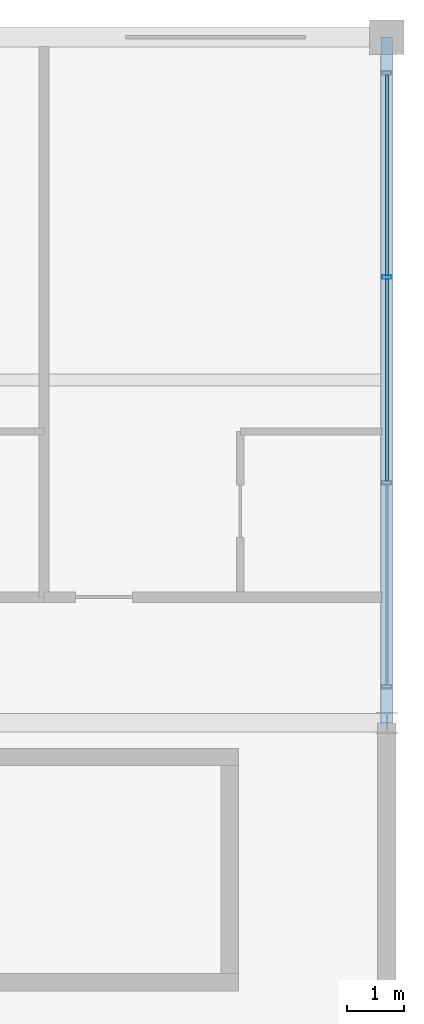
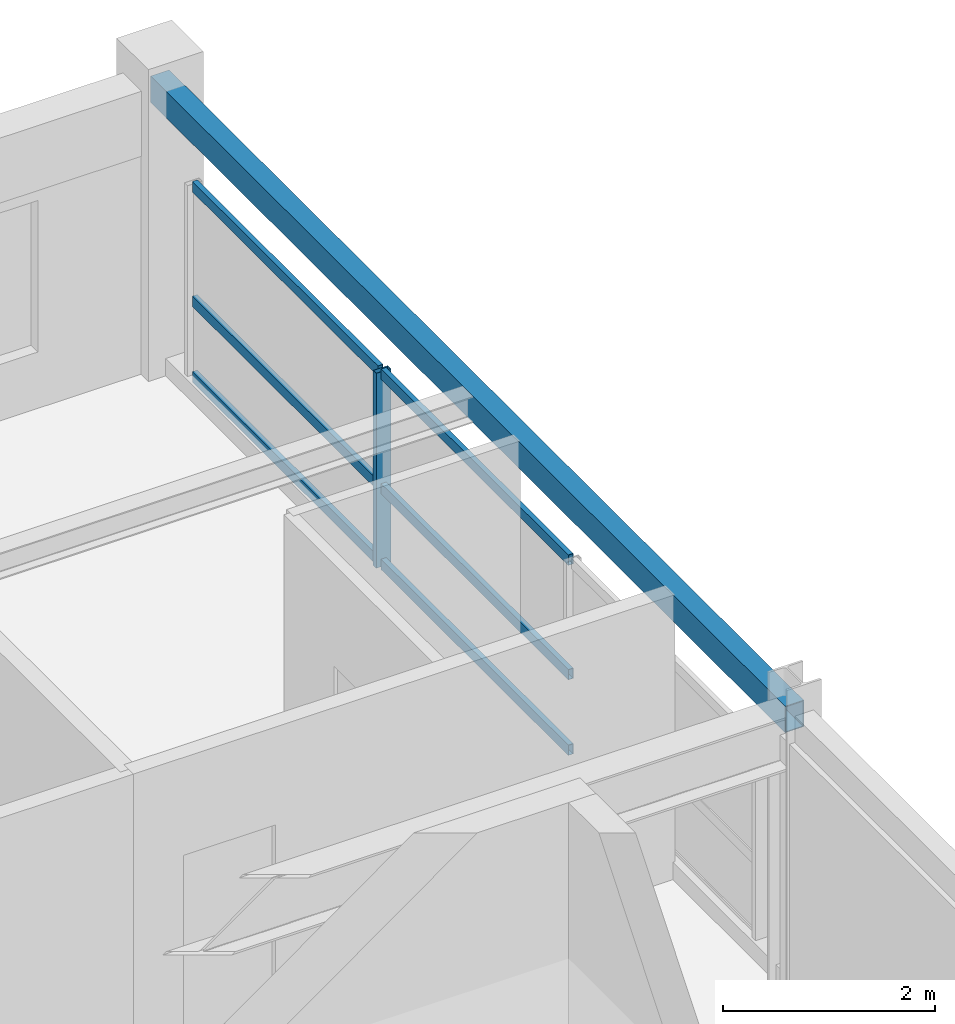
# One storey, part 14 of 22: 7 members, 1 beam, 1 element without a shape of its own.
"""IFC4 building model written with IfcOpenShell, lengths in metres."""

from ifc_helpers import new_model, si_unit, direction, frame, origin, origin_2d, place, context, subcontext, project, spatial, hollow_rectangle, extrude, material, material_profile, profile_set, type_object, element, aggregate, save


model = new_model("IFC4")

# Units and contexts
model_context = context("Model", 3, precision=1e-05, world=origin(), true_north=direction((0.0, 1.0)))
body_context = subcontext(model_context, "Body", "Model", "MODEL_VIEW")
ifc_project = project(units=[si_unit("LENGTHUNIT", "METRE"), si_unit("AREAUNIT", "SQUARE_METRE"), si_unit("VOLUMEUNIT", "CUBIC_METRE"), si_unit("PLANEANGLEUNIT", "RADIAN"), si_unit("MASSUNIT", "GRAM", prefix="KILO")], contexts=[model_context])

# Site, building, storey
site_placement = place(None, origin())
site = spatial("IfcSite", under=ifc_project, at=site_placement, CompositionType="ELEMENT")
building_placement = place(site_placement, origin())
building = spatial("IfcBuilding", under=site, at=building_placement, Name="Kaldorvane Square Convention Centre", CompositionType="ELEMENT")
storey_placement = place(building_placement, frame((0.0, 0.0, 67.19999694824219)))
storey = spatial("IfcBuildingStorey", under=building, at=storey_placement, Name="L16", CompositionType="ELEMENT", Elevation=67.19999694824219)

# Beam
ifc_material_1 = material(Name="Steel ASTM A500 Gr. C", Category="steel")
ifc_material_profile_1 = material_profile(ifc_material_1, hollow_rectangle(XDim=0.2032012939453125, YDim=0.3047943115234375, WallThickness=0.0088958740234375, at=origin_2d()), Name="HSS12X8X3/8")
ifc_profile_set_1 = profile_set([ifc_material_profile_1], Name="Steel ASTM A500 Gr. C")
beam_type = type_object("IfcBeamType", Name="BM-SP-HSS12", PredefinedType="SPANDREL", material=ifc_profile_set_1)
beam_placement = place(storey_placement, frame((78.0, 105.0, 3.12359619140625), z_axis=(0.0, 1.0, 0.0), x_axis=(-1.0, 0.0, 0.0)))
element("IfcBeam", 1, at=beam_placement, inside=storey, type_object=beam_type, Name="End Spandrel (L16)", PredefinedType="SPANDREL", context=body_context, shape_type="SweptSolid", body=[
    extrude(hollow_rectangle(XDim=0.2032012939453125, YDim=0.3047943115234375, WallThickness=0.0088958740234375, at=origin_2d()), origin(), (0.0, 0.0, 1.0), 12.0),
])

# Curtain wall, members
ifc_material_2 = material(Name="Anodized Aluminum and Low-E Insulated Glazing", Category="aluminium")
curtain_wall_type = type_object("IfcCurtainWallType", Name="CW-UNI-HTL-A", PredefinedType="USERDEFINED", material=ifc_material_2)
curtain_wall_placement = place(storey_placement, origin())
curtain_wall = element("IfcCurtainWall", 2, at=curtain_wall_placement, inside=storey, type_object=curtain_wall_type, Name="Curtain Wall CW-10 (L16)", ObjectType="UNITISED GLAZING", PredefinedType="USERDEFINED")
ifc_material_profile_2 = material_profile(ifc_material_2, hollow_rectangle(XDim=0.05999755859375, YDim=0.160003662109375, WallThickness=0.003204345703125, at=origin_2d()), Name="CWM-160X60")
ifc_profile_set_2 = profile_set([ifc_material_profile_2], Name="Anodized Aluminum and Low-E Insulated Glazing")
member_type_1 = type_object("IfcMemberType", Name="CW-MUL-160", PredefinedType="MULLION", material=ifc_profile_set_2)
member_1_placement = place(storey_placement, frame((78.0, 112.80000305175781, 0.1500091552734375), z_axis=(0.0, 0.0, 1.0), x_axis=(0.0, 1.0, 0.0)))
member_1 = element("IfcMember", 3, at=member_1_placement, type_object=member_type_1, Name="CW-10 mullion 3", PredefinedType="MULLION", context=body_context, shape_type="SweptSolid", body=[
    extrude(hollow_rectangle(XDim=0.05999755859375, YDim=0.160003662109375, WallThickness=0.003204345703125, at=origin_2d()), origin(), (0.0, 0.0, 1.0), 2.25),
])
ifc_material_profile_3 = material_profile(ifc_material_2, hollow_rectangle(XDim=0.05499267578125, YDim=0.1199951171875, WallThickness=0.0030059814453125, at=origin_2d()), Name="CWT-120X55")
ifc_profile_set_3 = profile_set([ifc_material_profile_3], Name="Anodized Aluminum and Low-E Insulated Glazing")
member_type_2 = type_object("IfcMemberType", Name="CW-TRN-120", PredefinedType="USERDEFINED", material=ifc_profile_set_3)
member_2_placement = place(storey_placement, frame((78.0, 109.22999572753906, 0.1775054931640625), z_axis=(0.0, 1.0, 0.0), x_axis=(-1.0, 0.0, 0.0)))
member_2 = element("IfcMember", 4, at=member_2_placement, type_object=member_type_2, Name="CW-10 transom 2.1", ObjectType="TRANSOM", PredefinedType="USERDEFINED", context=body_context, shape_type="SweptSolid", body=[
    extrude(hollow_rectangle(XDim=0.05499267578125, YDim=0.1199951171875, WallThickness=0.0030059814453125, at=origin_2d()), origin(), (0.0, 0.0, 1.0), 3.540008544921875),
])
member_3_placement = place(storey_placement, frame((78.0, 109.22999572753906, 1.0500030517578125), z_axis=(0.0, 1.0, 0.0), x_axis=(-1.0, 0.0, 0.0)))
member_3 = element("IfcMember", 5, at=member_3_placement, type_object=member_type_2, Name="CW-10 transom 2.2", ObjectType="TRANSOM", PredefinedType="USERDEFINED", context=body_context, shape_type="SweptSolid", body=[
    extrude(hollow_rectangle(XDim=0.05499267578125, YDim=0.1199951171875, WallThickness=0.0030059814453125, at=origin_2d()), origin(), (0.0, 0.0, 1.0), 3.540008544921875),
])
member_4_placement = place(storey_placement, frame((78.0, 109.22999572753906, 2.37249755859375), z_axis=(0.0, 1.0, 0.0), x_axis=(-1.0, 0.0, 0.0)))
member_4 = element("IfcMember", 6, at=member_4_placement, type_object=member_type_2, Name="CW-10 transom 2.3", ObjectType="TRANSOM", PredefinedType="USERDEFINED", context=body_context, shape_type="SweptSolid", body=[
    extrude(hollow_rectangle(XDim=0.05499267578125, YDim=0.1199951171875, WallThickness=0.0030059814453125, at=origin_2d()), origin(), (0.0, 0.0, 1.0), 3.540008544921875),
])
member_5_placement = place(storey_placement, frame((78.0, 112.83000183105469, 0.1775054931640625), z_axis=(0.0, 1.0, 0.0), x_axis=(-1.0, 0.0, 0.0)))
member_5 = element("IfcMember", 7, at=member_5_placement, type_object=member_type_2, Name="CW-10 transom 3.1", ObjectType="TRANSOM", PredefinedType="USERDEFINED", context=body_context, shape_type="SweptSolid", body=[
    extrude(hollow_rectangle(XDim=0.05499267578125, YDim=0.1199951171875, WallThickness=0.0030059814453125, at=origin_2d()), origin(), (0.0, 0.0, 1.0), 3.5099945068359375),
])
member_6_placement = place(storey_placement, frame((78.0, 112.83000183105469, 1.0500030517578125), z_axis=(0.0, 1.0, 0.0), x_axis=(-1.0, 0.0, 0.0)))
member_6 = element("IfcMember", 8, at=member_6_placement, type_object=member_type_2, Name="CW-10 transom 3.2", ObjectType="TRANSOM", PredefinedType="USERDEFINED", context=body_context, shape_type="SweptSolid", body=[
    extrude(hollow_rectangle(XDim=0.05499267578125, YDim=0.1199951171875, WallThickness=0.0030059814453125, at=origin_2d()), origin(), (0.0, 0.0, 1.0), 3.5099945068359375),
])
member_7_placement = place(storey_placement, frame((78.0, 112.83000183105469, 2.37249755859375), z_axis=(0.0, 1.0, 0.0), x_axis=(-1.0, 0.0, 0.0)))
member_7 = element("IfcMember", 9, at=member_7_placement, type_object=member_type_2, Name="CW-10 transom 3.3", ObjectType="TRANSOM", PredefinedType="USERDEFINED", context=body_context, shape_type="SweptSolid", body=[
    extrude(hollow_rectangle(XDim=0.05499267578125, YDim=0.1199951171875, WallThickness=0.0030059814453125, at=origin_2d()), origin(), (0.0, 0.0, 1.0), 3.5099945068359375),
])
aggregate(curtain_wall, [member_1, member_2, member_3, member_4, member_5, member_6, member_7])

save(model, "model.ifc")
